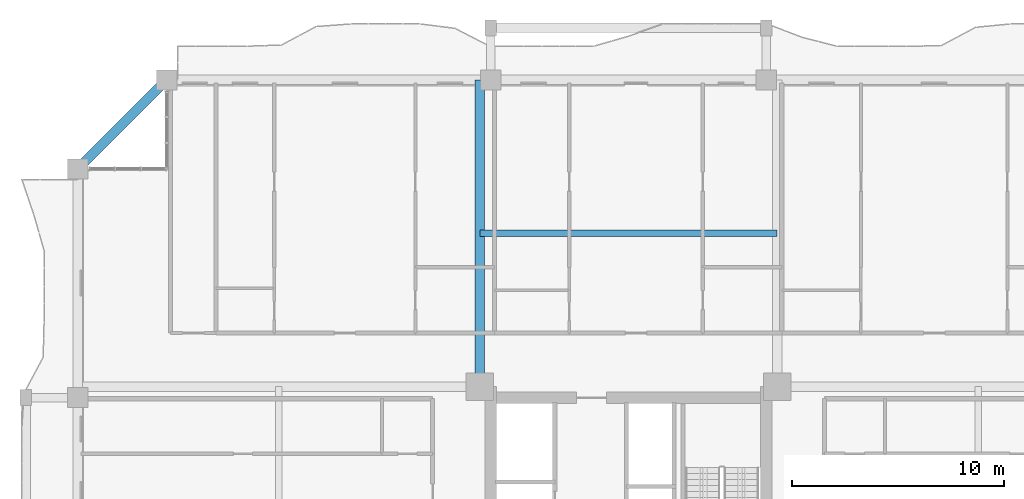
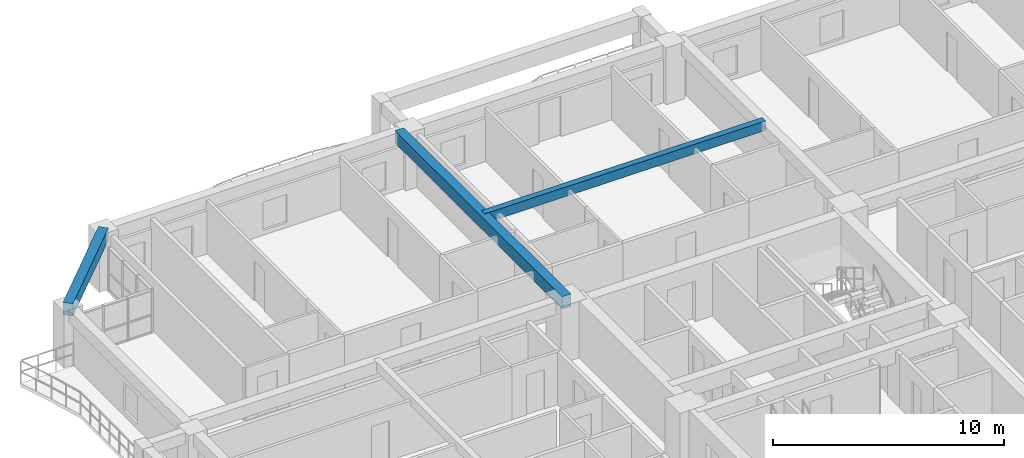
# One storey, part 7 of 25: 3 beams.
"""IFC4 building model written with IfcOpenShell, lengths in metres."""

from ifc_helpers import new_model, si_unit, direction, frame, origin, origin_2d, place, context, subcontext, project, spatial, rectangle, extrude, source, transform, mapped, material, material_profile, profile_set, type_object, element, save


model = new_model("IFC4")

# Units and contexts
model_context = context("Model", 3, precision=1e-05, world=origin(), true_north=direction((0.0, 1.0)))
body_context = subcontext(model_context, "Body", "Model", "MODEL_VIEW")
ifc_project = project(units=[si_unit("LENGTHUNIT", "METRE"), si_unit("AREAUNIT", "SQUARE_METRE"), si_unit("VOLUMEUNIT", "CUBIC_METRE"), si_unit("PLANEANGLEUNIT", "RADIAN"), si_unit("MASSUNIT", "GRAM", prefix="KILO")], contexts=[model_context])

# Site, building, storey
site_placement = place(None, origin())
site = spatial("IfcSite", under=ifc_project, at=site_placement, CompositionType="ELEMENT")
building_placement = place(site_placement, origin())
building = spatial("IfcBuilding", under=site, at=building_placement, Name="Saelheon Loggia Tower", CompositionType="ELEMENT")
storey_placement = place(building_placement, frame((0.0, 0.0, 80.85009765625)))
storey = spatial("IfcBuildingStorey", under=building, at=storey_placement, Name="L25", CompositionType="ELEMENT", Elevation=80.85009765625)

# Beams
ifc_material = material(Name="Concrete C40/50", Category="concrete")
ifc_material_profile_1 = material_profile(ifc_material, rectangle(XDim=0.449951171875, YDim=0.64990234375, at=origin_2d()), Name="RC-450x650")
ifc_profile_set_1 = profile_set([ifc_material_profile_1], Name="Concrete C40/50")
beam_type_1 = type_object("IfcBeamType", Name="Beam_PerimTower_RC450x650", PredefinedType="BEAM", material=ifc_profile_set_1)
shared_shape_1 = source(origin(), body_context, "Body", "SweptSolid", [
    extrude(rectangle(XDim=0.449951171875, YDim=0.64990234375, at=origin_2d()), origin(), (0.0, 0.0, 1.0), 5.939697265625),
])
beam_1_placement = place(storey_placement, frame((16.199951171875, 51.0, 2.6748046875), z_axis=(-0.707106781187, -0.707106781187, 0.0), x_axis=(0.707106781187, -0.707106781187, 0.0)))
element("IfcBeam", 1, at=beam_1_placement, inside=storey, type_object=beam_type_1, Name="L25 Perimeter Frame Girder 12", PredefinedType="BEAM", context=body_context, shape_type="MappedRepresentation", body=[
    mapped(shared_shape_1, transform((0.0, 0.0, 0.0), scale=1.0)),
])
ifc_material_profile_2 = material_profile(ifc_material, rectangle(XDim=0.449951171875, YDim=0.64990234375, at=origin_2d()), Name="RC-450x650")
ifc_profile_set_2 = profile_set([ifc_material_profile_2], Name="Concrete C40/50")
beam_type_2 = type_object("IfcBeamType", Name="Beam_TowerGirder_RC450x650", PredefinedType="BEAM", material=ifc_profile_set_2)
shared_shape_2 = source(origin(), body_context, "Body", "SweptSolid", [
    extrude(rectangle(XDim=0.449951171875, YDim=0.64990234375, at=origin_2d()), origin(), (0.0, 0.0, 1.0), 14.47998046875),
])
beam_2_placement = place(storey_placement, frame((30.97998046875, 36.52001953125, 2.6748046875), z_axis=(0.0, 1.0, 0.0), x_axis=(-1.0, 0.0, 0.0)))
element("IfcBeam", 2, at=beam_2_placement, inside=storey, type_object=beam_type_2, Name="L25 Radial Floor Girder RAD-NW-N", PredefinedType="BEAM", context=body_context, shape_type="MappedRepresentation", body=[
    mapped(shared_shape_2, transform((0.0, 0.0, 0.0), scale=1.0)),
])
ifc_material_profile_3 = material_profile(ifc_material, rectangle(XDim=0.300048828125, YDim=0.5, at=origin_2d()), Name="RC-300x500")
ifc_profile_set_3 = profile_set([ifc_material_profile_3], Name="Concrete C40/50")
beam_type_3 = type_object("IfcBeamType", Name="Beam_Joist_RC300x500", PredefinedType="JOIST", material=ifc_profile_set_3)
shared_shape_3 = source(origin(), body_context, "Body", "SweptSolid", [
    extrude(rectangle(XDim=0.300048828125, YDim=0.5, at=origin_2d()), origin(), (0.0, 0.0, 1.0), 14.0400390625),
])
beam_3_placement = place(storey_placement, frame((30.97998046875, 43.760009765625, 2.75), z_axis=(1.0, 0.0, 0.0), x_axis=(0.0, 1.0, 0.0)))
element("IfcBeam", 3, at=beam_3_placement, inside=storey, type_object=beam_type_3, Name="L25 North Floor Joist", PredefinedType="JOIST", context=body_context, shape_type="MappedRepresentation", body=[
    mapped(shared_shape_3, transform((0.0, 0.0, 0.0), scale=1.0)),
])

save(model, "model.ifc")
